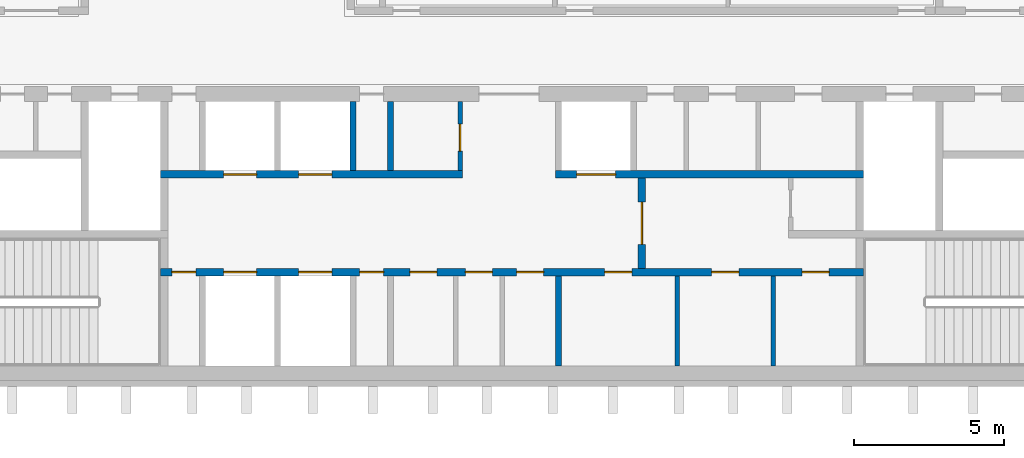
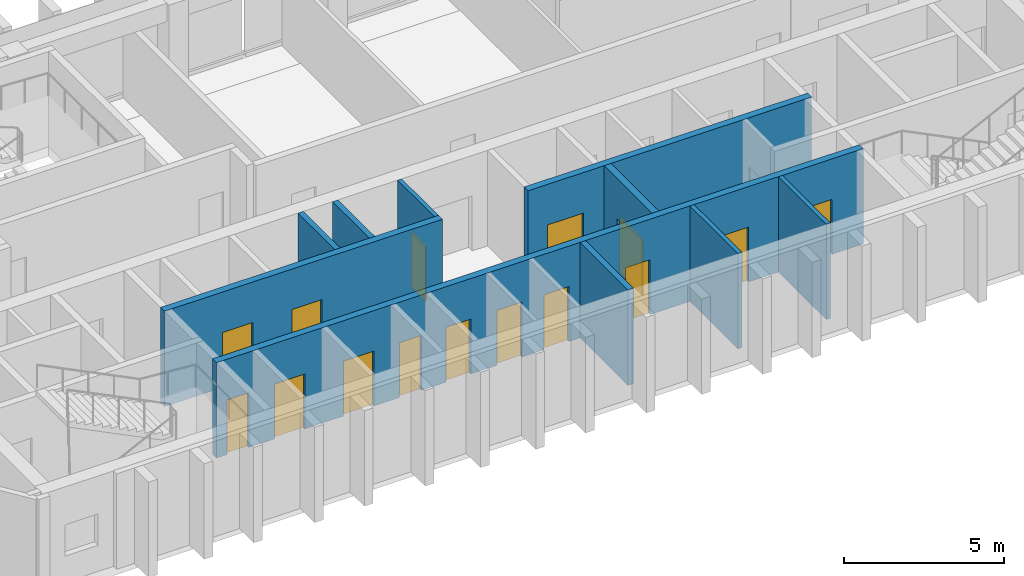
# One storey, part 5 of 10: 15 doors, 10 walls, 15 openings.
"""IFC4 building model written with IfcOpenShell, lengths in metres."""

from ifc_helpers import new_model, si_unit, direction, frame, frame_2d, origin, place, context, subcontext, project, spatial, rectangle, extrude, material, layer, layer_set, type_object, element, fill, save


model = new_model("IFC4")

# Units and contexts
model_context = context("Model", 3, precision=1e-05, world=origin(), true_north=direction((0.0, 1.0)))
body_context = subcontext(model_context, "Body", "Model", "MODEL_VIEW")
ifc_project = project(units=[si_unit("LENGTHUNIT", "METRE"), si_unit("AREAUNIT", "SQUARE_METRE"), si_unit("VOLUMEUNIT", "CUBIC_METRE"), si_unit("PLANEANGLEUNIT", "RADIAN"), si_unit("MASSUNIT", "GRAM", prefix="KILO")], contexts=[model_context])

# Site, building, storey
site_placement = place(None, origin())
site = spatial("IfcSite", under=ifc_project, at=site_placement, CompositionType="ELEMENT")
building_placement = place(site_placement, origin())
building = spatial("IfcBuilding", under=site, at=building_placement, Name="Quipu Civic Tower", CompositionType="ELEMENT")
storey_placement = place(building_placement, frame((0.0, 0.0, 339.0)))
storey = spatial("IfcBuildingStorey", under=building, at=storey_placement, Name="L79", CompositionType="ELEMENT", Elevation=339.0)

# Wall, openings, doors
ifc_material_1 = material(Name="Concrete C70/85", Category="concrete")
ifc_layer_1 = layer(ifc_material_1, 0.25)
ifc_layer_set_1 = layer_set([ifc_layer_1], Name="Concrete C70/85")
wall_type_1 = type_object("IfcWallType", Name="Core wall 250", PredefinedType="SHEAR", material=ifc_layer_set_1)
wall_1_placement = place(storey_placement, frame((11.699951171875, -7.375, 0.0), z_axis=(0.0, 0.0, 1.0), x_axis=(-1.0, 0.0, 0.0)))
wall_1 = element("IfcWall", 1, at=wall_1_placement, inside=storey, type_object=wall_type_1, Name="Core wall", PredefinedType="SHEAR", context=body_context, shape_type="SweptSolid", body=[
    extrude(rectangle(XDim=23.39990234375, YDim=0.25, at=frame_2d((11.699951171875, 0.0))), origin(), (0.0, 0.0, 1.0), 3.64990234375),
])
opening_1_placement = place(wall_1_placement, frame((22.22509765625, 0.0, 0.0)))
opening_1 = element("IfcOpeningElement", 2, at=opening_1_placement, cuts=wall_1, Name="Opening CD-01", PredefinedType="OPENING", context=body_context, shape_type="SweptSolid", body=[
    extrude(rectangle(XDim=0.800048828125, YDim=2.10009765625, at=frame_2d((0.39990234375, 1.050048828125))), frame((0.0, 0.135009765625, 0.0), z_axis=(0.0, -1.0, 0.0), x_axis=(1.0, 0.0, 0.0)), (0.0, 0.0, 1.0), 0.27001953125),
])
opening_2_placement = place(wall_1_placement, frame((20.199951171875, 0.0, 0.0)))
opening_2 = element("IfcOpeningElement", 3, at=opening_2_placement, cuts=wall_1, Name="Opening LD-HL1", PredefinedType="OPENING", context=body_context, shape_type="SweptSolid", body=[
    extrude(rectangle(XDim=1.10009765625, YDim=2.10009765625, at=frame_2d((0.550048828125, 1.050048828125))), frame((0.0, 0.135009765625, 0.0), z_axis=(0.0, -1.0, 0.0), x_axis=(1.0, 0.0, 0.0)), (0.0, 0.0, 1.0), 0.27001953125),
])
opening_3_placement = place(wall_1_placement, frame((17.699951171875, 0.0, 0.0)))
opening_3 = element("IfcOpeningElement", 4, at=opening_3_placement, cuts=wall_1, Name="Opening LD-HL2", PredefinedType="OPENING", context=body_context, shape_type="SweptSolid", body=[
    extrude(rectangle(XDim=1.10009765625, YDim=2.10009765625, at=frame_2d((0.550048828125, 1.050048828125))), frame((0.0, 0.135009765625, 0.0), z_axis=(0.0, -1.0, 0.0), x_axis=(1.0, 0.0, 0.0)), (0.0, 0.0, 1.0), 0.27001953125),
])
opening_4_placement = place(wall_1_placement, frame((15.97509765625, 0.0, 0.0)))
opening_4 = element("IfcOpeningElement", 5, at=opening_4_placement, cuts=wall_1, Name="Opening CD-02", PredefinedType="OPENING", context=body_context, shape_type="SweptSolid", body=[
    extrude(rectangle(XDim=0.800048828125, YDim=2.10009765625, at=frame_2d((0.39990234375, 1.050048828125))), frame((0.0, 0.135009765625, 0.0), z_axis=(0.0, -1.0, 0.0), x_axis=(1.0, 0.0, 0.0)), (0.0, 0.0, 1.0), 0.27001953125),
])
opening_5_placement = place(wall_1_placement, frame((14.199951171875, 0.0, 0.0)))
opening_5 = element("IfcOpeningElement", 6, at=opening_5_placement, cuts=wall_1, Name="Opening CD-03", PredefinedType="OPENING", context=body_context, shape_type="SweptSolid", body=[
    extrude(rectangle(XDim=0.89990234375, YDim=2.10009765625, at=frame_2d((0.449951171875, 1.050048828125))), frame((0.0, 0.135009765625, 0.0), z_axis=(0.0, -1.0, 0.0), x_axis=(1.0, 0.0, 0.0)), (0.0, 0.0, 1.0), 0.27001953125),
])
opening_6_placement = place(wall_1_placement, frame((12.35009765625, 0.0, 0.0)))
opening_6 = element("IfcOpeningElement", 7, at=opening_6_placement, cuts=wall_1, Name="Opening CD-04", PredefinedType="OPENING", context=body_context, shape_type="SweptSolid", body=[
    extrude(rectangle(XDim=0.89990234375, YDim=2.10009765625, at=frame_2d((0.449951171875, 1.050048828125))), frame((0.0, 0.135009765625, 0.0), z_axis=(0.0, -1.0, 0.0), x_axis=(1.0, 0.0, 0.0)), (0.0, 0.0, 1.0), 0.27001953125),
])
opening_7_placement = place(wall_1_placement, frame((10.64990234375, 0.0, 0.0)))
opening_7 = element("IfcOpeningElement", 8, at=opening_7_placement, cuts=wall_1, Name="Opening CD-05", PredefinedType="OPENING", context=body_context, shape_type="SweptSolid", body=[
    extrude(rectangle(XDim=0.89990234375, YDim=2.10009765625, at=frame_2d((0.449951171875, 1.050048828125))), frame((0.0, 0.135009765625, 0.0), z_axis=(0.0, -1.0, 0.0), x_axis=(1.0, 0.0, 0.0)), (0.0, 0.0, 1.0), 0.27001953125),
])
opening_8_placement = place(wall_1_placement, frame((7.712890625, 0.0, 0.0)))
opening_8 = element("IfcOpeningElement", 9, at=opening_8_placement, cuts=wall_1, Name="Opening CD-06", PredefinedType="OPENING", context=body_context, shape_type="SweptSolid", body=[
    extrude(rectangle(XDim=0.89990234375, YDim=2.10009765625, at=frame_2d((0.449951171875, 1.050048828125))), frame((0.0, 0.135009765625, 0.0), z_axis=(0.0, -1.0, 0.0), x_axis=(1.0, 0.0, 0.0)), (0.0, 0.0, 1.0), 0.27001953125),
])
opening_9_placement = place(wall_1_placement, frame((4.14990234375, 0.0, 0.0)))
opening_9 = element("IfcOpeningElement", 10, at=opening_9_placement, cuts=wall_1, Name="Opening CD-07", PredefinedType="OPENING", context=body_context, shape_type="SweptSolid", body=[
    extrude(rectangle(XDim=0.89990234375, YDim=2.10009765625, at=frame_2d((0.449951171875, 1.050048828125))), frame((0.0, 0.135009765625, 0.0), z_axis=(0.0, -1.0, 0.0), x_axis=(1.0, 0.0, 0.0)), (0.0, 0.0, 1.0), 0.27001953125),
])
opening_10_placement = place(wall_1_placement, frame((1.137939453125, 0.0, 0.0)))
opening_10 = element("IfcOpeningElement", 11, at=opening_10_placement, cuts=wall_1, Name="Opening CD-08", PredefinedType="OPENING", context=body_context, shape_type="SweptSolid", body=[
    extrude(rectangle(XDim=0.89990234375, YDim=2.10009765625, at=frame_2d((0.449951171875, 1.050048828125))), frame((0.0, 0.135009765625, 0.0), z_axis=(0.0, -1.0, 0.0), x_axis=(1.0, 0.0, 0.0)), (0.0, 0.0, 1.0), 0.27001953125),
])
ifc_material_2 = material(Name="Fire rated steel door", Category="steel")
door_type_1 = type_object("IfcDoorType", Name="Fire door FD60 800 x 2100", OperationType="NOTDEFINED", PredefinedType="DOOR", material=ifc_material_2)
door_1_placement = place(opening_1_placement, origin())
door_1 = element("IfcDoor", 12, at=door_1_placement, inside=storey, type_object=door_type_1, Name="Door", OperationType="SINGLE_SWING_RIGHT", OverallHeight=2.10009765625, OverallWidth=0.800048828125, PredefinedType="DOOR", context=body_context, shape_type="SweptSolid", body=[
    extrude(rectangle(XDim=0.800048828125, YDim=2.10009765625, at=frame_2d((0.39990234375, 1.050048828125))), frame((0.0, 0.02490234375, 0.0), z_axis=(0.0, -1.0, 0.0), x_axis=(1.0, 0.0, 0.0)), (0.0, 0.0, 1.0), 0.050048828125),
])
fill(opening_1, door_1)
door_2_placement = place(opening_4_placement, origin())
door_2 = element("IfcDoor", 13, at=door_2_placement, inside=storey, type_object=door_type_1, Name="Door", OperationType="SINGLE_SWING_RIGHT", OverallHeight=2.10009765625, OverallWidth=0.800048828125, PredefinedType="DOOR", context=body_context, shape_type="SweptSolid", body=[
    extrude(rectangle(XDim=0.800048828125, YDim=2.10009765625, at=frame_2d((0.39990234375, 1.050048828125))), frame((0.0, 0.02490234375, 0.0), z_axis=(0.0, -1.0, 0.0), x_axis=(1.0, 0.0, 0.0)), (0.0, 0.0, 1.0), 0.050048828125),
])
fill(opening_4, door_2)
ifc_material_3 = material(Name="Fire rated steel door", Category="steel")
door_type_2 = type_object("IfcDoorType", Name="Fire door FD60 900 x 2100", OperationType="NOTDEFINED", PredefinedType="DOOR", material=ifc_material_3)
door_3_placement = place(opening_5_placement, origin())
door_3 = element("IfcDoor", 14, at=door_3_placement, inside=storey, type_object=door_type_2, Name="WC door", OperationType="SINGLE_SWING_RIGHT", OverallHeight=2.10009765625, OverallWidth=0.89990234375, PredefinedType="DOOR", context=body_context, shape_type="SweptSolid", body=[
    extrude(rectangle(XDim=0.89990234375, YDim=2.10009765625, at=frame_2d((0.449951171875, 1.050048828125))), frame((0.0, 0.02490234375, 0.0), z_axis=(0.0, -1.0, 0.0), x_axis=(1.0, 0.0, 0.0)), (0.0, 0.0, 1.0), 0.050048828125),
])
fill(opening_5, door_3)
door_4_placement = place(opening_6_placement, origin())
door_4 = element("IfcDoor", 15, at=door_4_placement, inside=storey, type_object=door_type_2, Name="WC door", OperationType="SINGLE_SWING_RIGHT", OverallHeight=2.10009765625, OverallWidth=0.89990234375, PredefinedType="DOOR", context=body_context, shape_type="SweptSolid", body=[
    extrude(rectangle(XDim=0.89990234375, YDim=2.10009765625, at=frame_2d((0.449951171875, 1.050048828125))), frame((0.0, 0.02490234375, 0.0), z_axis=(0.0, -1.0, 0.0), x_axis=(1.0, 0.0, 0.0)), (0.0, 0.0, 1.0), 0.050048828125),
])
fill(opening_6, door_4)
door_5_placement = place(opening_7_placement, origin())
door_5 = element("IfcDoor", 16, at=door_5_placement, inside=storey, type_object=door_type_2, Name="WC door", OperationType="SINGLE_SWING_LEFT", OverallHeight=2.10009765625, OverallWidth=0.89990234375, PredefinedType="DOOR", context=body_context, shape_type="SweptSolid", body=[
    extrude(rectangle(XDim=0.89990234375, YDim=2.10009765625, at=frame_2d((0.449951171875, 1.050048828125))), frame((0.0, 0.02490234375, 0.0), z_axis=(0.0, -1.0, 0.0), x_axis=(1.0, 0.0, 0.0)), (0.0, 0.0, 1.0), 0.050048828125),
])
fill(opening_7, door_5)
door_6_placement = place(opening_8_placement, origin())
door_6 = element("IfcDoor", 17, at=door_6_placement, inside=storey, type_object=door_type_2, Name="Door", OperationType="SINGLE_SWING_LEFT", OverallHeight=2.10009765625, OverallWidth=0.89990234375, PredefinedType="DOOR", context=body_context, shape_type="SweptSolid", body=[
    extrude(rectangle(XDim=0.89990234375, YDim=2.10009765625, at=frame_2d((0.449951171875, 1.050048828125))), frame((0.0, 0.02490234375, 0.0), z_axis=(0.0, -1.0, 0.0), x_axis=(1.0, 0.0, 0.0)), (0.0, 0.0, 1.0), 0.050048828125),
])
fill(opening_8, door_6)
door_7_placement = place(opening_9_placement, origin())
door_7 = element("IfcDoor", 18, at=door_7_placement, inside=storey, type_object=door_type_2, Name="Door", OperationType="SINGLE_SWING_LEFT", OverallHeight=2.10009765625, OverallWidth=0.89990234375, PredefinedType="DOOR", context=body_context, shape_type="SweptSolid", body=[
    extrude(rectangle(XDim=0.89990234375, YDim=2.10009765625, at=frame_2d((0.449951171875, 1.050048828125))), frame((0.0, 0.02490234375, 0.0), z_axis=(0.0, -1.0, 0.0), x_axis=(1.0, 0.0, 0.0)), (0.0, 0.0, 1.0), 0.050048828125),
])
fill(opening_9, door_7)
door_8_placement = place(opening_10_placement, origin())
door_8 = element("IfcDoor", 19, at=door_8_placement, inside=storey, type_object=door_type_2, Name="Door", OperationType="SINGLE_SWING_LEFT", OverallHeight=2.10009765625, OverallWidth=0.89990234375, PredefinedType="DOOR", context=body_context, shape_type="SweptSolid", body=[
    extrude(rectangle(XDim=0.89990234375, YDim=2.10009765625, at=frame_2d((0.449951171875, 1.050048828125))), frame((0.0, 0.02490234375, 0.0), z_axis=(0.0, -1.0, 0.0), x_axis=(1.0, 0.0, 0.0)), (0.0, 0.0, 1.0), 0.050048828125),
])
fill(opening_10, door_8)
ifc_material_4 = material(Name="Stainless steel", Category="steel")
door_type_3 = type_object("IfcDoorType", Name="Lift landing door 1100 x 2100", OperationType="DOUBLE_DOOR_SLIDING", PredefinedType="DOOR", material=ifc_material_4)
door_9_placement = place(opening_2_placement, origin())
door_9 = element("IfcDoor", 20, at=door_9_placement, inside=storey, type_object=door_type_3, Name="Landing door HL1", OperationType="DOUBLE_DOOR_SLIDING", OverallHeight=2.10009765625, OverallWidth=1.10009765625, PredefinedType="DOOR", context=body_context, shape_type="SweptSolid", body=[
    extrude(rectangle(XDim=1.10009765625, YDim=2.10009765625, at=frame_2d((0.550048828125, 1.050048828125))), frame((0.0, 0.02490234375, 0.0), z_axis=(0.0, -1.0, 0.0), x_axis=(1.0, 0.0, 0.0)), (0.0, 0.0, 1.0), 0.050048828125),
])
fill(opening_2, door_9)
door_10_placement = place(opening_3_placement, origin())
door_10 = element("IfcDoor", 21, at=door_10_placement, inside=storey, type_object=door_type_3, Name="Landing door HL2", OperationType="DOUBLE_DOOR_SLIDING", OverallHeight=2.10009765625, OverallWidth=1.10009765625, PredefinedType="DOOR", context=body_context, shape_type="SweptSolid", body=[
    extrude(rectangle(XDim=1.10009765625, YDim=2.10009765625, at=frame_2d((0.550048828125, 1.050048828125))), frame((0.0, 0.02490234375, 0.0), z_axis=(0.0, -1.0, 0.0), x_axis=(1.0, 0.0, 0.0)), (0.0, 0.0, 1.0), 0.050048828125),
])
fill(opening_3, door_10)

# Wall, opening, door
wall_2_placement = place(storey_placement, frame((4.324951171875, -7.25, 0.0), z_axis=(0.0, 0.0, 1.0), x_axis=(0.0, 1.0, 0.0)))
wall_2 = element("IfcWall", 22, at=wall_2_placement, inside=storey, type_object=wall_type_1, Name="Core wall", PredefinedType="SHEAR", context=body_context, shape_type="SweptSolid", body=[
    extrude(rectangle(XDim=3.0, YDim=0.25, at=frame_2d((1.5, 0.0))), origin(), (0.0, 0.0, 1.0), 3.64990234375),
])
opening_11_placement = place(wall_2_placement, frame((0.800048828125, 0.0, 0.0)))
opening_11 = element("IfcOpeningElement", 23, at=opening_11_placement, cuts=wall_2, Name="Opening CD-11", PredefinedType="OPENING", context=body_context, shape_type="SweptSolid", body=[
    extrude(rectangle(XDim=1.39990234375, YDim=2.10009765625, at=frame_2d((0.699951171875, 1.050048828125))), frame((0.0, 0.135009765625, 0.0), z_axis=(0.0, -1.0, 0.0), x_axis=(1.0, 0.0, 0.0)), (0.0, 0.0, 1.0), 0.27001953125),
])
ifc_material_5 = material(Name="Fire rated steel door", Category="steel")
door_type_4 = type_object("IfcDoorType", Name="Fire door FD60 double 1400 x 2100", OperationType="NOTDEFINED", PredefinedType="DOOR", material=ifc_material_5)
door_11_placement = place(opening_11_placement, origin())
door_11 = element("IfcDoor", 24, at=door_11_placement, inside=storey, type_object=door_type_4, Name="Hall door", OperationType="DOUBLE_DOOR_SINGLE_SWING", OverallHeight=2.10009765625, OverallWidth=1.39990234375, PredefinedType="DOOR", context=body_context, shape_type="SweptSolid", body=[
    extrude(rectangle(XDim=1.39990234375, YDim=2.10009765625, at=frame_2d((0.699951171875, 1.050048828125))), frame((0.0, 0.02490234375, 0.0), z_axis=(0.0, -1.0, 0.0), x_axis=(1.0, 0.0, 0.0)), (0.0, 0.0, 1.0), 0.050048828125),
])
fill(opening_11, door_11)

# Wall, openings, doors
wall_3_placement = place(storey_placement, frame((-11.699951171875, -4.125, 0.0), z_axis=(0.0, 0.0, 1.0), x_axis=(1.0, 0.0, 0.0)))
wall_3 = element("IfcWall", 25, at=wall_3_placement, inside=storey, type_object=wall_type_1, Name="Core wall", PredefinedType="SHEAR", context=body_context, shape_type="SweptSolid", body=[
    extrude(rectangle(XDim=10.050048828125, YDim=0.25, at=frame_2d((5.02490234375, 0.0))), origin(), (0.0, 0.0, 1.0), 3.64990234375),
])
opening_12_placement = place(wall_3_placement, frame((2.10009765625, 0.0, 0.0)))
opening_12 = element("IfcOpeningElement", 26, at=opening_12_placement, cuts=wall_3, Name="Opening LD-HL3", PredefinedType="OPENING", context=body_context, shape_type="SweptSolid", body=[
    extrude(rectangle(XDim=1.10009765625, YDim=2.10009765625, at=frame_2d((0.550048828125, 1.050048828125))), frame((0.0, 0.135009765625, 0.0), z_axis=(0.0, -1.0, 0.0), x_axis=(1.0, 0.0, 0.0)), (0.0, 0.0, 1.0), 0.27001953125),
])
opening_13_placement = place(wall_3_placement, frame((4.60009765625, 0.0, 0.0)))
opening_13 = element("IfcOpeningElement", 27, at=opening_13_placement, cuts=wall_3, Name="Opening LD-HL4", PredefinedType="OPENING", context=body_context, shape_type="SweptSolid", body=[
    extrude(rectangle(XDim=1.10009765625, YDim=2.10009765625, at=frame_2d((0.550048828125, 1.050048828125))), frame((0.0, 0.135009765625, 0.0), z_axis=(0.0, -1.0, 0.0), x_axis=(1.0, 0.0, 0.0)), (0.0, 0.0, 1.0), 0.27001953125),
])
door_12_placement = place(opening_12_placement, origin())
door_12 = element("IfcDoor", 28, at=door_12_placement, inside=storey, type_object=door_type_3, Name="Landing door HL3", OperationType="DOUBLE_DOOR_SLIDING", OverallHeight=2.10009765625, OverallWidth=1.10009765625, PredefinedType="DOOR", context=body_context, shape_type="SweptSolid", body=[
    extrude(rectangle(XDim=1.10009765625, YDim=2.10009765625, at=frame_2d((0.550048828125, 1.050048828125))), frame((0.0, 0.02490234375, 0.0), z_axis=(0.0, -1.0, 0.0), x_axis=(1.0, 0.0, 0.0)), (0.0, 0.0, 1.0), 0.050048828125),
])
fill(opening_12, door_12)
door_13_placement = place(opening_13_placement, origin())
door_13 = element("IfcDoor", 29, at=door_13_placement, inside=storey, type_object=door_type_3, Name="Landing door HL4", OperationType="DOUBLE_DOOR_SLIDING", OverallHeight=2.10009765625, OverallWidth=1.10009765625, PredefinedType="DOOR", context=body_context, shape_type="SweptSolid", body=[
    extrude(rectangle(XDim=1.10009765625, YDim=2.10009765625, at=frame_2d((0.550048828125, 1.050048828125))), frame((0.0, 0.02490234375, 0.0), z_axis=(0.0, -1.0, 0.0), x_axis=(1.0, 0.0, 0.0)), (0.0, 0.0, 1.0), 0.050048828125),
])
fill(opening_13, door_13)

# Wall, opening, door
wall_4_placement = place(storey_placement, frame((1.449951171875, -4.125, 0.0), z_axis=(0.0, 0.0, 1.0), x_axis=(1.0, 0.0, 0.0)))
wall_4 = element("IfcWall", 30, at=wall_4_placement, inside=storey, type_object=wall_type_1, Name="Core wall", PredefinedType="SHEAR", context=body_context, shape_type="SweptSolid", body=[
    extrude(rectangle(XDim=10.25, YDim=0.25, at=frame_2d((5.125, 0.0))), origin(), (0.0, 0.0, 1.0), 3.64990234375),
])
opening_14_placement = place(wall_4_placement, frame((0.699951171875, 0.0, 0.0)))
opening_14 = element("IfcOpeningElement", 31, at=opening_14_placement, cuts=wall_4, Name="Opening LD-FF3", PredefinedType="OPENING", context=body_context, shape_type="SweptSolid", body=[
    extrude(rectangle(XDim=1.300048828125, YDim=2.10009765625, at=frame_2d((0.64990234375, 1.050048828125))), frame((0.0, 0.135009765625, 0.0), z_axis=(0.0, -1.0, 0.0), x_axis=(1.0, 0.0, 0.0)), (0.0, 0.0, 1.0), 0.27001953125),
])
ifc_material_6 = material(Name="Stainless steel", Category="steel")
door_type_5 = type_object("IfcDoorType", Name="Lift landing door 1300 x 2100", OperationType="DOUBLE_DOOR_SLIDING", PredefinedType="DOOR", material=ifc_material_6)
door_14_placement = place(opening_14_placement, origin())
door_14 = element("IfcDoor", 32, at=door_14_placement, inside=storey, type_object=door_type_5, Name="Landing door FF3", OperationType="DOUBLE_DOOR_SLIDING", OverallHeight=2.10009765625, OverallWidth=1.300048828125, PredefinedType="DOOR", context=body_context, shape_type="SweptSolid", body=[
    extrude(rectangle(XDim=1.300048828125, YDim=2.10009765625, at=frame_2d((0.64990234375, 1.050048828125))), frame((0.0, 0.02490234375, 0.0), z_axis=(0.0, -1.0, 0.0), x_axis=(1.0, 0.0, 0.0)), (0.0, 0.0, 1.0), 0.050048828125),
])
fill(opening_14, door_14)

# Walls
ifc_material_7 = material(Name="Gypsum board partition")
ifc_layer_2 = layer(ifc_material_7, 0.14990234375)
ifc_layer_set_2 = layer_set([ifc_layer_2], Name="Gypsum board partition")
wall_type_2 = type_object("IfcWallType", Name="Partition 150", PredefinedType="PARTITIONING", material=ifc_layer_set_2)
for number, where, z_axis, x_axis, name in (
    (33, (5.5, -10.5, 0.0), (0.0, 0.0, 1.0), (0.0, 1.0, 0.0), "Partition"),
    (34, (8.699951171875, -10.5, 0.0), (0.0, 0.0, 1.0), (0.0, 1.0, 0.0), "Partition"),
):
    element("IfcWall", number, at=place(storey_placement, frame(where, z_axis=z_axis, x_axis=x_axis)), inside=storey, type_object=wall_type_2, Name=name, PredefinedType="PARTITIONING", context=body_context, shape_type="SweptSolid", body=[
        extrude(rectangle(XDim=3.0, YDim=0.14990234375, at=frame_2d((1.5, 0.0))), origin(), (0.0, 0.0, 1.0), 3.64990234375),
    ])

# Wall, opening, door
wall_5_placement = place(storey_placement, frame((-1.72509765625, -1.699951171875, 0.0), z_axis=(0.0, 0.0, 1.0), x_axis=(0.0, -1.0, 0.0)))
wall_5 = element("IfcWall", 35, at=wall_5_placement, inside=storey, type_object=wall_type_2, Name="Partition", PredefinedType="PARTITIONING", context=body_context, shape_type="SweptSolid", body=[
    extrude(rectangle(XDim=2.300048828125, YDim=0.14990234375, at=frame_2d((1.14990234375, 0.0))), origin(), (0.0, 0.0, 1.0), 3.64990234375),
])
opening_15_placement = place(wall_5_placement, frame((0.75, 0.0, 0.0)))
opening_15 = element("IfcOpeningElement", 36, at=opening_15_placement, cuts=wall_5, Name="Opening CD-13", PredefinedType="OPENING", context=body_context, shape_type="SweptSolid", body=[
    extrude(rectangle(XDim=0.89990234375, YDim=2.10009765625, at=frame_2d((0.449951171875, 1.050048828125))), frame((0.0, 0.0849609375, 0.0), z_axis=(0.0, -1.0, 0.0), x_axis=(1.0, 0.0, 0.0)), (0.0, 0.0, 1.0), 0.169921875),
])
door_15_placement = place(opening_15_placement, origin())
door_15 = element("IfcDoor", 37, at=door_15_placement, inside=storey, type_object=door_type_2, Name="WC door", OperationType="SINGLE_SWING_RIGHT", OverallHeight=2.10009765625, OverallWidth=0.89990234375, PredefinedType="DOOR", context=body_context, shape_type="SweptSolid", body=[
    extrude(rectangle(XDim=0.89990234375, YDim=2.10009765625, at=frame_2d((0.449951171875, 1.050048828125))), frame((0.0, 0.02490234375, 0.0), z_axis=(0.0, -1.0, 0.0), x_axis=(1.0, 0.0, 0.0)), (0.0, 0.0, 1.0), 0.050048828125),
])
fill(opening_15, door_15)

# Walls
ifc_material_8 = material(Name="Concrete C40/50", Category="concrete")
ifc_layer_3 = layer(ifc_material_8, 0.199951171875)
ifc_layer_set_3 = layer_set([ifc_layer_3], Name="Concrete C40/50")
wall_type_3 = type_object("IfcWallType", Name="Shaft wall 200", PredefinedType="SOLIDWALL", material=ifc_layer_set_3)
wall_6_placement = place(storey_placement, frame((1.550048828125, -10.5, 0.0), z_axis=(0.0, 0.0, 1.0), x_axis=(0.0, 1.0, 0.0)))
element("IfcWall", 38, at=wall_6_placement, inside=storey, type_object=wall_type_3, Name="Shaft wall", PredefinedType="SOLIDWALL", context=body_context, shape_type="SweptSolid", body=[
    extrude(rectangle(XDim=3.0, YDim=0.199951171875, at=frame_2d((1.5, 0.0))), origin(), (0.0, 0.0, 1.0), 3.64990234375),
])
for number, where, z_axis, x_axis, name in (
    (39, (-5.300048828125, -4.0, 0.0), (0.0, 0.0, 1.0), (0.0, 1.0, 0.0), "Shaft wall"),
    (40, (-4.050048828125, -4.0, 0.0), (0.0, 0.0, 1.0), (0.0, 1.0, 0.0), "Shaft wall"),
):
    element("IfcWall", number, at=place(storey_placement, frame(where, z_axis=z_axis, x_axis=x_axis)), inside=storey, type_object=wall_type_3, Name=name, PredefinedType="SOLIDWALL", context=body_context, shape_type="SweptSolid", body=[
        extrude(rectangle(XDim=2.300048828125, YDim=0.199951171875, at=frame_2d((1.14990234375, 0.0))), origin(), (0.0, 0.0, 1.0), 3.64990234375),
    ])

save(model, "model.ifc")
